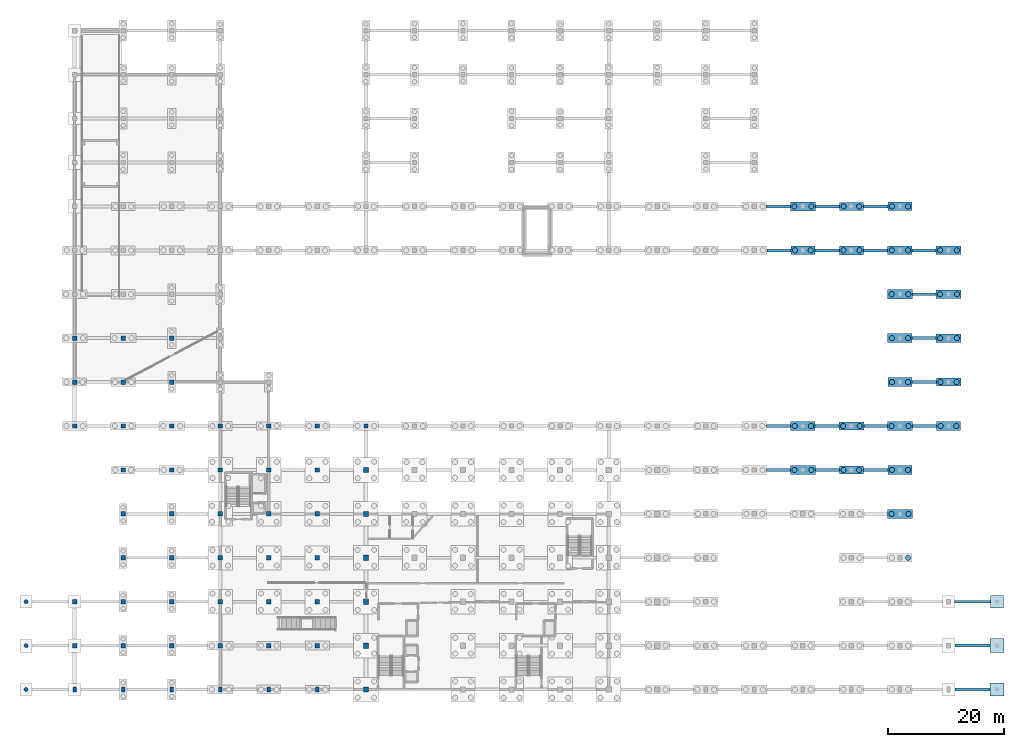
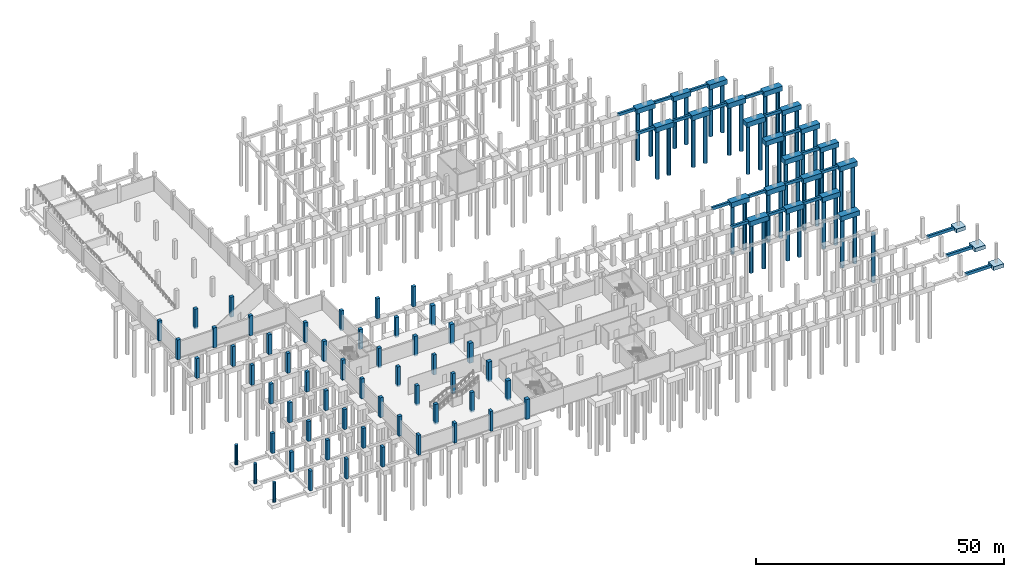
# One storey, part 9 of 22: 55 columns, 44 footings, 43 piles.
"""IFC4 building model written with IfcOpenShell, lengths in metres."""

import ifcopenshell
import ifcopenshell.guid

model = None  # the IFC model being written
_history = None  # IfcOwnerHistory: only IFC2X3 demands one
_inside = {}  # id of a spatial element -> (the spatial element, [elements in it])
_under = {}  # id of a project, library or spatial element -> (it, [spatial elements below it])
_declared = {}  # id of a project -> (the project, [libraries it declares])
_typed = {}  # id of a type object -> (the type object, [elements of that type])
_made_of = {}  # id of a material, layer set ... -> (it, [elements and type objects made of it])


def new_model(schema):
    """Start an empty IFC model of exactly this schema.

    Asked for "IFC4X3", IfcOpenShell would pick the latest addendum, in which some entities
    have other attributes; the version numbers below select the first issue.
    IFC2X3 requires an IfcOwnerHistory on every rooted entity: one is made here for all.
    """
    global model, _history
    if schema == "IFC4X3":
        model = ifcopenshell.file(schema_version=(4, 3, 0, 0))
    else:
        model = ifcopenshell.file(schema=schema)
    _inside.clear()
    _under.clear()
    _declared.clear()
    _typed.clear()
    _made_of.clear()
    _history = None
    if model.schema == "IFC2X3":
        org = make("IfcOrganization", Name="unknown")
        user = make(
            "IfcPersonAndOrganization",
            ThePerson=make("IfcPerson", FamilyName="unknown"),
            TheOrganization=org,
        )
        app = make(
            "IfcApplication",
            ApplicationDeveloper=org,
            Version="unknown",
            ApplicationFullName="unknown",
            ApplicationIdentifier="unknown",
        )
        _history = make(
            "IfcOwnerHistory",
            OwningUser=user,
            OwningApplication=app,
            ChangeAction="ADDED",
            CreationDate=0,
        )
    return model


def make(cls, **values):
    """One entity of the class cls with the attributes given. An attribute that is None is left unset."""
    return model.create_entity(
        cls, **{name: value for name, value in values.items() if value is not None}
    )


def rooted(cls, **values):
    """An entity with a GlobalId (a new one), such as an element, a storey or a relation."""
    return make(cls, GlobalId=ifcopenshell.guid.new(), OwnerHistory=_history, **values)


def si_unit(unit_type, name, prefix=None):
    """IfcSIUnit, for example si_unit("LENGTHUNIT", "METRE", prefix="MILLI")."""
    return make("IfcSIUnit", UnitType=unit_type, Prefix=prefix, Name=name)


def assignment(units):
    """IfcUnitAssignment: the units of a project."""
    return None if units is None else make("IfcUnitAssignment", Units=units)


def point(xyz):
    """IfcCartesianPoint."""
    return None if xyz is None else make("IfcCartesianPoint", Coordinates=xyz)


def direction(xyz):
    """IfcDirection."""
    return None if xyz is None else make("IfcDirection", DirectionRatios=xyz)


def frame(location, z_axis=None, x_axis=None):
    """IfcAxis2Placement3D, a coordinate frame: its origin and axes. An axis left out is left unset."""
    return make(
        "IfcAxis2Placement3D",
        Location=point(location),
        Axis=direction(z_axis),
        RefDirection=direction(x_axis),
    )


def frame_2d(location, x_axis=None):
    """IfcAxis2Placement2D, a coordinate frame in the plane: its origin and x axis."""
    return make(
        "IfcAxis2Placement2D", Location=point(location), RefDirection=direction(x_axis)
    )


def origin():
    """The frame at (0, 0, 0) with its axes left unset."""
    return frame((0.0, 0.0, 0.0))


def origin_2d():
    """The frame at (0, 0) in the plane with its x axis left unset."""
    return frame_2d((0.0, 0.0))


def place(relative_to, where):
    """IfcLocalPlacement: puts the frame where relative to a parent placement (None: the world)."""
    return make(
        "IfcLocalPlacement", PlacementRelTo=relative_to, RelativePlacement=where
    )


def context(
    kind, dimensions, precision=None, world=None, true_north=None, identifier=None
):
    """IfcGeometricRepresentationContext, for example the 3D "Model" context."""
    return make(
        "IfcGeometricRepresentationContext",
        ContextIdentifier=identifier,
        ContextType=kind,
        CoordinateSpaceDimension=dimensions,
        Precision=precision,
        WorldCoordinateSystem=world,
        TrueNorth=true_north,
    )


def subcontext(parent, identifier, kind, view, scale=None):
    """IfcGeometricRepresentationSubContext, for example "Body" below "Model"."""
    return make(
        "IfcGeometricRepresentationSubContext",
        ContextIdentifier=identifier,
        ContextType=kind,
        ParentContext=parent,
        TargetScale=scale,
        TargetView=view,
    )


def project(units=None, contexts=None):
    """IfcProject with its units and contexts."""
    return rooted(
        "IfcProject",
        Name="project",
        RepresentationContexts=contexts,
        UnitsInContext=assignment(units),
    )


def spatial(cls, under=None, at=None, **own):
    """A site, building, storey or space (cls), placed at a placement, below another one or the project."""
    s = rooted(cls, ObjectPlacement=at, **own)
    if under is not None:
        _under.setdefault(under.id(), (under, []))[1].append(s)
    return s


def profile(cls, at=None, kind="AREA", **sizes):
    """A parametric profile (cls). Its sizes go by their IFC names, for example OverallWidth=200.0."""
    return make(cls, ProfileType=kind, Position=at, **sizes)


def rectangle(**sizes):
    """IfcRectangleProfileDef."""
    return profile("IfcRectangleProfileDef", **sizes)


def circle(**sizes):
    """IfcCircleProfileDef."""
    return profile("IfcCircleProfileDef", **sizes)


def extrude(swept, where, along, depth):
    """IfcExtrudedAreaSolid: the profile swept, set in the frame where, extruded along a direction by depth."""
    return make(
        "IfcExtrudedAreaSolid",
        SweptArea=swept,
        Position=where,
        ExtrudedDirection=direction(along),
        Depth=depth,
    )


def shape(context_of_items, identifier, shape_type, items):
    """IfcShapeRepresentation: the items that make up one representation, for example the "Body"."""
    return make(
        "IfcShapeRepresentation",
        ContextOfItems=context_of_items,
        RepresentationIdentifier=identifier,
        RepresentationType=shape_type,
        Items=items,
    )


def material(Name=None, Category=None):
    """IfcMaterial."""
    return make("IfcMaterial", Name=Name, Category=Category)


def material_profile(
    of_material, cross_section, Name=None, Category=None, Priority=None
):
    """IfcMaterialProfile: a cross section and its material."""
    return make(
        "IfcMaterialProfile",
        Name=Name,
        Material=of_material,
        Profile=cross_section,
        Priority=Priority,
        Category=Category,
    )


def profile_set(profiles, Name=None, composite=None):
    """IfcMaterialProfileSet."""
    return make(
        "IfcMaterialProfileSet",
        Name=Name,
        MaterialProfiles=profiles,
        CompositeProfile=composite,
    )


def made_of(thing, what):
    """Note that an element or type object is made of a material, layer set ...; save() writes the relation."""
    if what is not None:
        _made_of.setdefault(what.id(), (what, []))[1].append(thing)
    return thing


def type_object(cls, material=None, **own):
    """A type object (cls), such as IfcWallType, which elements share."""
    return made_of(rooted(cls, **own), material)


def element(
    cls,
    number,
    at=None,
    inside=None,
    cuts=None,
    type_object=None,
    material=None,
    context=None,
    identifier="Body",
    shape_type=None,
    held_by="IfcProductDefinitionShape",
    body=None,
    shapes=None,
    **own,
):
    """One element of the class cls, such as IfcWall. Its Tag is "e" and its number.

    at: its placement. inside: the storey or other place that contains it. cuts: it is an
    opening in that element (IfcRelVoidsElement). A single representation is given by context,
    identifier, shape_type and body (its items); several are given by shapes. held_by: the class
    of the entity that holds the representations. save() writes the other relations.
    """
    e = rooted(cls, Tag="e%d" % number, ObjectPlacement=at, **own)
    if body is not None:
        shapes = [shape(context, identifier, shape_type, body)]
    if shapes is not None:
        e.Representation = make(held_by, Representations=shapes)
    if inside is not None:
        _inside.setdefault(inside.id(), (inside, []))[1].append(e)
    if cuts is not None:
        rooted(
            "IfcRelVoidsElement", RelatingBuildingElement=cuts, RelatedOpeningElement=e
        )
    if type_object is not None:
        _typed.setdefault(type_object.id(), (type_object, []))[1].append(e)
    return made_of(e, material)


def aggregate(whole, parts):
    """IfcRelAggregates: a whole, such as a stair, and the parts it consists of."""
    return rooted("IfcRelAggregates", RelatingObject=whole, RelatedObjects=parts)


def save(model, path):
    """Write the relations noted so far, then the file.

    IfcRelAggregates (storeys below a building ...), IfcRelContainedInSpatialStructure (elements
    in a storey), IfcRelDefinesByType, IfcRelAssociatesMaterial and IfcRelDeclares: one each for
    every whole, place, type object, material and project.
    """
    for whole, parts in _under.values():
        aggregate(whole, parts)
    for where, things in _inside.values():
        rooted(
            "IfcRelContainedInSpatialStructure",
            RelatedElements=things,
            RelatingStructure=where,
        )
    for kind, things in _typed.values():
        rooted("IfcRelDefinesByType", RelatedObjects=things, RelatingType=kind)
    for what, things in _made_of.values():
        rooted("IfcRelAssociatesMaterial", RelatedObjects=things, RelatingMaterial=what)
    for by, libraries in _declared.values():
        rooted("IfcRelDeclares", RelatingContext=by, RelatedDefinitions=libraries)
    model.write(path)


model = new_model("IFC4")

# Units and contexts
model_context = context("Model", 3, precision=1e-05, world=origin(), true_north=direction((0.0, 1.0)))
body_context = subcontext(model_context, "Body", "Model", "MODEL_VIEW")
ifc_project = project(units=[si_unit("LENGTHUNIT", "METRE"), si_unit("AREAUNIT", "SQUARE_METRE"), si_unit("VOLUMEUNIT", "CUBIC_METRE"), si_unit("PLANEANGLEUNIT", "RADIAN"), si_unit("MASSUNIT", "GRAM", prefix="KILO")], contexts=[model_context])

# Site, building, storey
site_placement = place(None, origin())
site = spatial("IfcSite", under=ifc_project, at=site_placement, CompositionType="ELEMENT")
building_placement = place(site_placement, origin())
building = spatial("IfcBuilding", under=site, at=building_placement, Name="Zuvorla Pavilion Media Centre", CompositionType="ELEMENT")
storey_placement = place(building_placement, frame((0.0, 0.0, -4.5)))
storey = spatial("IfcBuildingStorey", under=building, at=storey_placement, Name="B01", CompositionType="ELEMENT", Elevation=-4.5)

# Footings
ifc_material = material(Name="Concrete C40/50", Category="concrete")
footing_type_1 = type_object("IfcFootingType", Name="FT-GB56", PredefinedType="FOOTING_BEAM", material=ifc_material)
for number, where, z_axis, x_axis, name in (
    (1, (171.77490234375, 6.0, -1.10009765625), (0.0, 0.0, 1.0), (1.0, 0.0, 0.0), "Ground beam GB56 18"),
    (2, (171.77490234375, 13.60009765625, -1.10009765625), (0.0, 0.0, 1.0), (1.0, 0.0, 0.0), "Ground beam GB56 36"),
):
    element("IfcFooting", number, at=place(storey_placement, frame(where, z_axis=z_axis, x_axis=x_axis)), inside=storey, type_object=footing_type_1, Name=name, PredefinedType="FOOTING_BEAM", context=body_context, shape_type="SweptSolid", body=[
        extrude(rectangle(XDim=6.050048828125, YDim=0.5, at=origin_2d()), origin(), (0.0, 0.0, 1.0), 0.699951171875),
    ])
footing_1_placement = place(storey_placement, frame((171.77490234375, 21.199951171875, -1.10009765625), z_axis=(0.0, 0.0, 1.0), x_axis=(1.0, 0.0, 0.0)))
element("IfcFooting", 3, at=footing_1_placement, inside=storey, type_object=footing_type_1, Name="Ground beam GB56 51", PredefinedType="FOOTING_BEAM", context=body_context, shape_type="SweptSolid", body=[
    extrude(rectangle(XDim=6.25, YDim=0.5, at=origin_2d()), origin(), (0.0, 0.0, 1.0), 0.699951171875),
])
footing_2_placement = place(storey_placement, frame((138.18505859375, 44.0, -1.10009765625), z_axis=(0.0, 0.0, 1.0), x_axis=(1.0, 0.0, 0.0)))
element("IfcFooting", 4, at=footing_2_placement, inside=storey, type_object=footing_type_1, Name="Ground beam GB56 94", PredefinedType="FOOTING_BEAM", context=body_context, shape_type="SweptSolid", body=[
    extrude(rectangle(XDim=4.070068359375, YDim=0.5, at=origin_2d()), origin(), (0.0, 0.0, 1.0), 0.699951171875),
])
footing_3_placement = place(storey_placement, frame((146.659912109375, 44.0, -1.10009765625), z_axis=(0.0, 0.0, 1.0), x_axis=(1.0, 0.0, 0.0)))
element("IfcFooting", 5, at=footing_3_placement, inside=storey, type_object=footing_type_1, Name="Ground beam GB56 95", PredefinedType="FOOTING_BEAM", context=body_context, shape_type="SweptSolid", body=[
    extrude(rectangle(XDim=4.159912109375, YDim=0.5, at=origin_2d()), origin(), (0.0, 0.0, 1.0), 0.699951171875),
])
footing_4_placement = place(storey_placement, frame((154.985107421875, 44.0, -1.10009765625), z_axis=(0.0, 0.0, 1.0), x_axis=(1.0, 0.0, 0.0)))
element("IfcFooting", 6, at=footing_4_placement, inside=storey, type_object=footing_type_1, Name="Ground beam GB56 96", PredefinedType="FOOTING_BEAM", context=body_context, shape_type="SweptSolid", body=[
    extrude(rectangle(XDim=4.25, YDim=0.5, at=origin_2d()), origin(), (0.0, 0.0, 1.0), 0.699951171875),
])
footing_5_placement = place(storey_placement, frame((138.18505859375, 51.60009765625, -1.10009765625), z_axis=(0.0, 0.0, 1.0), x_axis=(1.0, 0.0, 0.0)))
element("IfcFooting", 7, at=footing_5_placement, inside=storey, type_object=footing_type_1, Name="Ground beam GB56 111", PredefinedType="FOOTING_BEAM", context=body_context, shape_type="SweptSolid", body=[
    extrude(rectangle(XDim=4.18994140625, YDim=0.5, at=origin_2d()), origin(), (0.0, 0.0, 1.0), 0.699951171875),
])
footing_6_placement = place(storey_placement, frame((146.5849609375, 51.60009765625, -1.10009765625), z_axis=(0.0, 0.0, 1.0), x_axis=(1.0, 0.0, 0.0)))
element("IfcFooting", 8, at=footing_6_placement, inside=storey, type_object=footing_type_1, Name="Ground beam GB56 112", PredefinedType="FOOTING_BEAM", context=body_context, shape_type="SweptSolid", body=[
    extrude(rectangle(XDim=4.1298828125, YDim=0.5, at=origin_2d()), origin(), (0.0, 0.0, 1.0), 0.699951171875),
])
footing_7_placement = place(storey_placement, frame((154.985107421875, 51.60009765625, -1.10009765625), z_axis=(0.0, 0.0, 1.0), x_axis=(1.0, 0.0, 0.0)))
element("IfcFooting", 9, at=footing_7_placement, inside=storey, type_object=footing_type_1, Name="Ground beam GB56 113", PredefinedType="FOOTING_BEAM", context=body_context, shape_type="SweptSolid", body=[
    extrude(rectangle(XDim=4.070068359375, YDim=0.5, at=origin_2d()), origin(), (0.0, 0.0, 1.0), 0.699951171875),
])
footing_8_placement = place(storey_placement, frame((163.4599609375, 51.60009765625, -1.10009765625), z_axis=(0.0, 0.0, 1.0), x_axis=(1.0, 0.0, 0.0)))
element("IfcFooting", 10, at=footing_8_placement, inside=storey, type_object=footing_type_1, Name="Ground beam GB56 114", PredefinedType="FOOTING_BEAM", context=body_context, shape_type="SweptSolid", body=[
    extrude(rectangle(XDim=4.159912109375, YDim=0.5, at=origin_2d()), origin(), (0.0, 0.0, 1.0), 0.699951171875),
])
footing_9_placement = place(storey_placement, frame((163.385009765625, 59.199951171875, -1.10009765625), z_axis=(0.0, 0.0, 1.0), x_axis=(1.0, 0.0, 0.0)))
element("IfcFooting", 11, at=footing_9_placement, inside=storey, type_object=footing_type_1, Name="Ground beam GB56 119", PredefinedType="FOOTING_BEAM", context=body_context, shape_type="SweptSolid", body=[
    extrude(rectangle(XDim=4.18994140625, YDim=0.5, at=origin_2d()), origin(), (0.0, 0.0, 1.0), 0.699951171875),
])
footing_10_placement = place(storey_placement, frame((163.385009765625, 66.800048828125, -1.10009765625), z_axis=(0.0, 0.0, 1.0), x_axis=(1.0, 0.0, 0.0)))
element("IfcFooting", 12, at=footing_10_placement, inside=storey, type_object=footing_type_1, Name="Ground beam GB56 123", PredefinedType="FOOTING_BEAM", context=body_context, shape_type="SweptSolid", body=[
    extrude(rectangle(XDim=4.1298828125, YDim=0.5, at=origin_2d()), origin(), (0.0, 0.0, 1.0), 0.699951171875),
])
footing_11_placement = place(storey_placement, frame((163.385009765625, 74.39990234375, -1.10009765625), z_axis=(0.0, 0.0, 1.0), x_axis=(1.0, 0.0, 0.0)))
element("IfcFooting", 13, at=footing_11_placement, inside=storey, type_object=footing_type_1, Name="Ground beam GB56 127", PredefinedType="FOOTING_BEAM", context=body_context, shape_type="SweptSolid", body=[
    extrude(rectangle(XDim=4.070068359375, YDim=0.5, at=origin_2d()), origin(), (0.0, 0.0, 1.0), 0.699951171875),
])
footing_12_placement = place(storey_placement, frame((138.260009765625, 82.0, -1.10009765625), z_axis=(0.0, 0.0, 1.0), x_axis=(1.0, 0.0, 0.0)))
element("IfcFooting", 14, at=footing_12_placement, inside=storey, type_object=footing_type_1, Name="Ground beam GB56 142", PredefinedType="FOOTING_BEAM", context=body_context, shape_type="SweptSolid", body=[
    extrude(rectangle(XDim=4.159912109375, YDim=0.5, at=origin_2d()), origin(), (0.0, 0.0, 1.0), 0.699951171875),
])
footing_13_placement = place(storey_placement, frame((146.5849609375, 82.0, -1.10009765625), z_axis=(0.0, 0.0, 1.0), x_axis=(1.0, 0.0, 0.0)))
element("IfcFooting", 15, at=footing_13_placement, inside=storey, type_object=footing_type_1, Name="Ground beam GB56 143", PredefinedType="FOOTING_BEAM", context=body_context, shape_type="SweptSolid", body=[
    extrude(rectangle(XDim=4.25, YDim=0.5, at=origin_2d()), origin(), (0.0, 0.0, 1.0), 0.699951171875),
])
footing_14_placement = place(storey_placement, frame((154.985107421875, 82.0, -1.10009765625), z_axis=(0.0, 0.0, 1.0), x_axis=(1.0, 0.0, 0.0)))
element("IfcFooting", 16, at=footing_14_placement, inside=storey, type_object=footing_type_1, Name="Ground beam GB56 144", PredefinedType="FOOTING_BEAM", context=body_context, shape_type="SweptSolid", body=[
    extrude(rectangle(XDim=4.18994140625, YDim=0.5, at=origin_2d()), origin(), (0.0, 0.0, 1.0), 0.699951171875),
])
footing_15_placement = place(storey_placement, frame((163.385009765625, 82.0, -1.10009765625), z_axis=(0.0, 0.0, 1.0), x_axis=(1.0, 0.0, 0.0)))
element("IfcFooting", 17, at=footing_15_placement, inside=storey, type_object=footing_type_1, Name="Ground beam GB56 145", PredefinedType="FOOTING_BEAM", context=body_context, shape_type="SweptSolid", body=[
    extrude(rectangle(XDim=4.1298828125, YDim=0.5, at=origin_2d()), origin(), (0.0, 0.0, 1.0), 0.699951171875),
])
footing_16_placement = place(storey_placement, frame((138.18505859375, 89.60009765625, -1.10009765625), z_axis=(0.0, 0.0, 1.0), x_axis=(1.0, 0.0, 0.0)))
element("IfcFooting", 18, at=footing_16_placement, inside=storey, type_object=footing_type_1, Name="Ground beam GB56 160", PredefinedType="FOOTING_BEAM", context=body_context, shape_type="SweptSolid", body=[
    extrude(rectangle(XDim=4.070068359375, YDim=0.5, at=origin_2d()), origin(), (0.0, 0.0, 1.0), 0.699951171875),
])
footing_17_placement = place(storey_placement, frame((146.659912109375, 89.60009765625, -1.10009765625), z_axis=(0.0, 0.0, 1.0), x_axis=(1.0, 0.0, 0.0)))
element("IfcFooting", 19, at=footing_17_placement, inside=storey, type_object=footing_type_1, Name="Ground beam GB56 161", PredefinedType="FOOTING_BEAM", context=body_context, shape_type="SweptSolid", body=[
    extrude(rectangle(XDim=4.159912109375, YDim=0.5, at=origin_2d()), origin(), (0.0, 0.0, 1.0), 0.699951171875),
])
footing_18_placement = place(storey_placement, frame((154.985107421875, 89.60009765625, -1.10009765625), z_axis=(0.0, 0.0, 1.0), x_axis=(1.0, 0.0, 0.0)))
element("IfcFooting", 20, at=footing_18_placement, inside=storey, type_object=footing_type_1, Name="Ground beam GB56 162", PredefinedType="FOOTING_BEAM", context=body_context, shape_type="SweptSolid", body=[
    extrude(rectangle(XDim=4.25, YDim=0.5, at=origin_2d()), origin(), (0.0, 0.0, 1.0), 0.699951171875),
])
footing_type_2 = type_object("IfcFootingType", Name="FT-PC05", PredefinedType="PILE_CAP", material=ifc_material)
footing_19_placement = place(storey_placement, frame((159.199951171875, 51.60009765625, -1.60009765625), z_axis=(0.0, 0.0, 1.0), x_axis=(1.0, 0.0, 0.0)))
element("IfcFooting", 21, at=footing_19_placement, inside=storey, type_object=footing_type_2, Name="Pile cap PC05", PredefinedType="PILE_CAP", context=body_context, shape_type="SweptSolid", body=[
    extrude(rectangle(XDim=4.360107421875, YDim=1.5, at=origin_2d()), origin(), (0.0, 0.0, 1.0), 1.199951171875),
])
footing_type_3 = type_object("IfcFootingType", Name="FT-PC06", PredefinedType="PILE_CAP", material=ifc_material)
footing_20_placement = place(storey_placement, frame((167.60009765625, 51.60009765625, -1.60009765625), z_axis=(0.0, 0.0, 1.0), x_axis=(1.0, 0.0, 0.0)))
element("IfcFooting", 22, at=footing_20_placement, inside=storey, type_object=footing_type_3, Name="Pile cap PC06", PredefinedType="PILE_CAP", context=body_context, shape_type="SweptSolid", body=[
    extrude(rectangle(XDim=4.1201171875, YDim=1.580078125, at=origin_2d()), origin(), (0.0, 0.0, 1.0), 1.199951171875),
])
footing_type_4 = type_object("IfcFootingType", Name="FT-PC13", PredefinedType="PILE_CAP", material=ifc_material)
for number, where, z_axis, x_axis, name in (
    (23, (167.60009765625, 59.199951171875, -1.60009765625), (0.0, 0.0, 1.0), (1.0, 0.0, 0.0), "Pile cap PC13"),
    (24, (159.199951171875, 82.0, -1.60009765625), (0.0, 0.0, 1.0), (1.0, 0.0, 0.0), "Pile cap PC13"),
):
    element("IfcFooting", number, at=place(storey_placement, frame(where, z_axis=z_axis, x_axis=x_axis)), inside=storey, type_object=footing_type_4, Name=name, PredefinedType="PILE_CAP", context=body_context, shape_type="SweptSolid", body=[
        extrude(rectangle(XDim=4.239990234375, YDim=1.419921875, at=origin_2d()), origin(), (0.0, 0.0, 1.0), 1.199951171875),
    ])
footing_type_5 = type_object("IfcFootingType", Name="FT-PC14", PredefinedType="PILE_CAP", material=ifc_material)
footing_21_placement = place(storey_placement, frame((167.60009765625, 82.0, -1.60009765625), z_axis=(0.0, 0.0, 1.0), x_axis=(1.0, 0.0, 0.0)))
element("IfcFooting", 25, at=footing_21_placement, inside=storey, type_object=footing_type_5, Name="Pile cap PC14", PredefinedType="PILE_CAP", context=body_context, shape_type="SweptSolid", body=[
    extrude(rectangle(XDim=4.300048828125, YDim=1.5, at=origin_2d()), origin(), (0.0, 0.0, 1.0), 1.199951171875),
])
footing_type_6 = type_object("IfcFootingType", Name="FT-PC15", PredefinedType="PILE_CAP", material=ifc_material)
for number, where, z_axis, x_axis, name in (
    (26, (159.199951171875, 36.39990234375, -1.60009765625), (0.0, 0.0, 1.0), (1.0, 0.0, 0.0), "Pile cap PC15"),
    (27, (142.39990234375, 44.0, -1.60009765625), (0.0, 0.0, 1.0), (1.0, 0.0, 0.0), "Pile cap PC15"),
    (28, (142.39990234375, 89.60009765625, -1.60009765625), (0.0, 0.0, 1.0), (1.0, 0.0, 0.0), "Pile cap PC15"),
):
    element("IfcFooting", number, at=place(storey_placement, frame(where, z_axis=z_axis, x_axis=x_axis)), inside=storey, type_object=footing_type_6, Name=name, PredefinedType="PILE_CAP", context=body_context, shape_type="SweptSolid", body=[
        extrude(rectangle(XDim=4.360107421875, YDim=1.580078125, at=origin_2d()), origin(), (0.0, 0.0, 1.0), 1.199951171875),
    ])
footing_type_7 = type_object("IfcFootingType", Name="FT-PC16", PredefinedType="PILE_CAP", material=ifc_material)
for number, where, z_axis, x_axis, name in (
    (29, (150.800048828125, 44.0, -1.60009765625), (0.0, 0.0, 1.0), (1.0, 0.0, 0.0), "Pile cap PC16"),
    (30, (150.800048828125, 89.60009765625, -1.60009765625), (0.0, 0.0, 1.0), (1.0, 0.0, 0.0), "Pile cap PC16"),
):
    element("IfcFooting", number, at=place(storey_placement, frame(where, z_axis=z_axis, x_axis=x_axis)), inside=storey, type_object=footing_type_7, Name=name, PredefinedType="PILE_CAP", context=body_context, shape_type="SweptSolid", body=[
        extrude(rectangle(XDim=4.1201171875, YDim=1.419921875, at=origin_2d()), origin(), (0.0, 0.0, 1.0), 1.199951171875),
    ])
footing_type_8 = type_object("IfcFootingType", Name="FT-PC17", PredefinedType="PILE_CAP", material=ifc_material)
for number, where, z_axis, x_axis, name in (
    (31, (159.199951171875, 44.0, -1.60009765625), (0.0, 0.0, 1.0), (1.0, 0.0, 0.0), "Pile cap PC17"),
    (32, (159.199951171875, 89.60009765625, -1.60009765625), (0.0, 0.0, 1.0), (1.0, 0.0, 0.0), "Pile cap PC17"),
):
    element("IfcFooting", number, at=place(storey_placement, frame(where, z_axis=z_axis, x_axis=x_axis)), inside=storey, type_object=footing_type_8, Name=name, PredefinedType="PILE_CAP", context=body_context, shape_type="SweptSolid", body=[
        extrude(rectangle(XDim=4.179931640625, YDim=1.5, at=origin_2d()), origin(), (0.0, 0.0, 1.0), 1.199951171875),
    ])
footing_type_9 = type_object("IfcFootingType", Name="FT-PC18", PredefinedType="PILE_CAP", material=ifc_material)
for number, where, z_axis, x_axis, name in (
    (33, (142.39990234375, 51.60009765625, -1.60009765625), (0.0, 0.0, 1.0), (1.0, 0.0, 0.0), "Pile cap PC18"),
    (34, (159.199951171875, 66.800048828125, -1.60009765625), (0.0, 0.0, 1.0), (1.0, 0.0, 0.0), "Pile cap PC18"),
):
    element("IfcFooting", number, at=place(storey_placement, frame(where, z_axis=z_axis, x_axis=x_axis)), inside=storey, type_object=footing_type_9, Name=name, PredefinedType="PILE_CAP", context=body_context, shape_type="SweptSolid", body=[
        extrude(rectangle(XDim=4.239990234375, YDim=1.580078125, at=origin_2d()), origin(), (0.0, 0.0, 1.0), 1.199951171875),
    ])
footing_type_10 = type_object("IfcFootingType", Name="FT-PC23", PredefinedType="PILE_CAP", material=ifc_material)
footing_22_placement = place(storey_placement, frame((167.60009765625, 74.39990234375, -1.60009765625), z_axis=(0.0, 0.0, 1.0), x_axis=(1.0, 0.0, 0.0)))
element("IfcFooting", 35, at=footing_22_placement, inside=storey, type_object=footing_type_10, Name="Pile cap PC23", PredefinedType="PILE_CAP", context=body_context, shape_type="SweptSolid", body=[
    extrude(rectangle(XDim=4.360107421875, YDim=1.419921875, at=origin_2d()), origin(), (0.0, 0.0, 1.0), 1.199951171875),
])
footing_type_11 = type_object("IfcFootingType", Name="FT-PC24", PredefinedType="PILE_CAP", material=ifc_material)
footing_23_placement = place(storey_placement, frame((142.39990234375, 82.0, -1.60009765625), z_axis=(0.0, 0.0, 1.0), x_axis=(1.0, 0.0, 0.0)))
element("IfcFooting", 36, at=footing_23_placement, inside=storey, type_object=footing_type_11, Name="Pile cap PC24", PredefinedType="PILE_CAP", context=body_context, shape_type="SweptSolid", body=[
    extrude(rectangle(XDim=4.1201171875, YDim=1.5, at=origin_2d()), origin(), (0.0, 0.0, 1.0), 1.199951171875),
])
footing_type_12 = type_object("IfcFootingType", Name="FT-PC25", PredefinedType="PILE_CAP", material=ifc_material)
for number, where, z_axis, x_axis, name in (
    (37, (159.199951171875, 59.199951171875, -1.60009765625), (0.0, 0.0, 1.0), (1.0, 0.0, 0.0), "Pile cap PC25"),
    (38, (150.800048828125, 82.0, -1.60009765625), (0.0, 0.0, 1.0), (1.0, 0.0, 0.0), "Pile cap PC25"),
):
    element("IfcFooting", number, at=place(storey_placement, frame(where, z_axis=z_axis, x_axis=x_axis)), inside=storey, type_object=footing_type_12, Name=name, PredefinedType="PILE_CAP", context=body_context, shape_type="SweptSolid", body=[
        extrude(rectangle(XDim=4.179931640625, YDim=1.580078125, at=origin_2d()), origin(), (0.0, 0.0, 1.0), 1.199951171875),
    ])
footing_type_13 = type_object("IfcFootingType", Name="FT-PC30", PredefinedType="PILE_CAP", material=ifc_material)
for number, where, z_axis, x_axis, name in (
    (39, (150.800048828125, 51.60009765625, -1.60009765625), (0.0, 0.0, 1.0), (1.0, 0.0, 0.0), "Pile cap PC30"),
    (40, (167.60009765625, 66.800048828125, -1.60009765625), (0.0, 0.0, 1.0), (1.0, 0.0, 0.0), "Pile cap PC30"),
):
    element("IfcFooting", number, at=place(storey_placement, frame(where, z_axis=z_axis, x_axis=x_axis)), inside=storey, type_object=footing_type_13, Name=name, PredefinedType="PILE_CAP", context=body_context, shape_type="SweptSolid", body=[
        extrude(rectangle(XDim=4.300048828125, YDim=1.419921875, at=origin_2d()), origin(), (0.0, 0.0, 1.0), 1.199951171875),
    ])
footing_type_14 = type_object("IfcFootingType", Name="FT-PC37", PredefinedType="PILE_CAP", material=ifc_material)
footing_24_placement = place(storey_placement, frame((159.199951171875, 74.39990234375, -1.60009765625), z_axis=(0.0, 0.0, 1.0), x_axis=(1.0, 0.0, 0.0)))
element("IfcFooting", 41, at=footing_24_placement, inside=storey, type_object=footing_type_14, Name="Pile cap PC37", PredefinedType="PILE_CAP", context=body_context, shape_type="SweptSolid", body=[
    extrude(rectangle(XDim=4.300048828125, YDim=1.580078125, at=origin_2d()), origin(), (0.0, 0.0, 1.0), 1.199951171875),
])
footing_type_15 = type_object("IfcFootingType", Name="FT-PF02", PredefinedType="PAD_FOOTING", material=ifc_material)
footing_25_placement = place(storey_placement, frame((176.0, 21.199951171875, -1.300048828125), z_axis=(0.0, 0.0, 1.0), x_axis=(1.0, 0.0, 0.0)))
element("IfcFooting", 42, at=footing_25_placement, inside=storey, type_object=footing_type_15, Name="Pad footing PF02", PredefinedType="PAD_FOOTING", context=body_context, shape_type="SweptSolid", body=[
    extrude(rectangle(XDim=2.199951171875, YDim=2.10009765625, at=origin_2d()), origin(), (0.0, 0.0, 1.0), 0.89990234375),
])
footing_type_16 = type_object("IfcFootingType", Name="FT-PF20", PredefinedType="PAD_FOOTING", material=ifc_material)
footing_26_placement = place(storey_placement, frame((176.0, 6.0, -1.300048828125), z_axis=(0.0, 0.0, 1.0), x_axis=(1.0, 0.0, 0.0)))
element("IfcFooting", 43, at=footing_26_placement, inside=storey, type_object=footing_type_16, Name="Pad footing PF20", PredefinedType="PAD_FOOTING", context=body_context, shape_type="SweptSolid", body=[
    extrude(rectangle(XDim=2.39990234375, YDim=2.199951171875, at=origin_2d()), origin(), (0.0, 0.0, 1.0), 0.89990234375),
])
footing_type_17 = type_object("IfcFootingType", Name="FT-PF33", PredefinedType="PAD_FOOTING", material=ifc_material)
footing_27_placement = place(storey_placement, frame((176.0, 13.60009765625, -1.300048828125), z_axis=(0.0, 0.0, 1.0), x_axis=(1.0, 0.0, 0.0)))
element("IfcFooting", 44, at=footing_27_placement, inside=storey, type_object=footing_type_17, Name="Pad footing PF33", PredefinedType="PAD_FOOTING", context=body_context, shape_type="SweptSolid", body=[
    extrude(rectangle(XDim=2.39990234375, YDim=2.39990234375, at=origin_2d()), origin(), (0.0, 0.0, 1.0), 0.89990234375),
])

# Piles
ifc_material_profile_1 = material_profile(ifc_material, circle(Radius=0.449951171875, at=origin_2d()), Name="BORED PILE 900")
ifc_profile_set_1 = profile_set([ifc_material_profile_1], Name="Concrete C40/50")
pile_type = type_object("IfcPileType", Name="PIL-D900", PredefinedType="BORED", material=ifc_profile_set_1)
for number, where, z_axis, x_axis, name in (
    (45, (160.610107421875, 28.800048828125, -1.5), (0.0, 0.0, -1.0), (1.0, 0.0, 0.0), "Bored pile P90 176"),
    (46, (157.72998046875, 36.39990234375, -1.5), (0.0, 0.0, -1.0), (1.0, 0.0, 0.0), "Bored pile P90 227"),
    (47, (160.669921875, 36.39990234375, -1.5), (0.0, 0.0, -1.0), (1.0, 0.0, 0.0), "Bored pile P90 228"),
    (48, (140.929931640625, 44.0, -1.5), (0.0, 0.0, -1.0), (1.0, 0.0, 0.0), "Bored pile P90 275"),
    (49, (143.8701171875, 44.0, -1.5), (0.0, 0.0, -1.0), (1.0, 0.0, 0.0), "Bored pile P90 276"),
    (50, (149.449951171875, 44.0, -1.5), (0.0, 0.0, -1.0), (1.0, 0.0, 0.0), "Bored pile P90 277"),
    (51, (152.14990234375, 44.0, -1.5), (0.0, 0.0, -1.0), (1.0, 0.0, 0.0), "Bored pile P90 278"),
    (52, (157.820068359375, 44.0, -1.5), (0.0, 0.0, -1.0), (1.0, 0.0, 0.0), "Bored pile P90 279"),
    (53, (160.580078125, 44.0, -1.5), (0.0, 0.0, -1.0), (1.0, 0.0, 0.0), "Bored pile P90 280"),
    (54, (140.989990234375, 51.60009765625, -1.5), (0.0, 0.0, -1.0), (1.0, 0.0, 0.0), "Bored pile P90 311"),
    (55, (143.81005859375, 51.60009765625, -1.5), (0.0, 0.0, -1.0), (1.0, 0.0, 0.0), "Bored pile P90 312"),
    (56, (149.360107421875, 51.60009765625, -1.5), (0.0, 0.0, -1.0), (1.0, 0.0, 0.0), "Bored pile P90 313"),
    (57, (152.239990234375, 51.60009765625, -1.5), (0.0, 0.0, -1.0), (1.0, 0.0, 0.0), "Bored pile P90 314"),
    (58, (157.72998046875, 51.60009765625, -1.5), (0.0, 0.0, -1.0), (1.0, 0.0, 0.0), "Bored pile P90 315"),
    (59, (160.669921875, 51.60009765625, -1.5), (0.0, 0.0, -1.0), (1.0, 0.0, 0.0), "Bored pile P90 316"),
    (60, (166.25, 51.60009765625, -1.5), (0.0, 0.0, -1.0), (1.0, 0.0, 0.0), "Bored pile P90 317"),
    (61, (168.949951171875, 51.60009765625, -1.5), (0.0, 0.0, -1.0), (1.0, 0.0, 0.0), "Bored pile P90 318"),
    (62, (157.820068359375, 59.199951171875, -1.5), (0.0, 0.0, -1.0), (1.0, 0.0, 0.0), "Bored pile P90 329"),
    (63, (160.580078125, 59.199951171875, -1.5), (0.0, 0.0, -1.0), (1.0, 0.0, 0.0), "Bored pile P90 330"),
    (64, (166.18994140625, 59.199951171875, -1.5), (0.0, 0.0, -1.0), (1.0, 0.0, 0.0), "Bored pile P90 331"),
    (65, (169.010009765625, 59.199951171875, -1.5), (0.0, 0.0, -1.0), (1.0, 0.0, 0.0), "Bored pile P90 332"),
    (66, (157.7900390625, 66.800048828125, -1.5), (0.0, 0.0, -1.0), (1.0, 0.0, 0.0), "Bored pile P90 341"),
    (67, (160.610107421875, 66.800048828125, -1.5), (0.0, 0.0, -1.0), (1.0, 0.0, 0.0), "Bored pile P90 342"),
    (68, (166.159912109375, 66.800048828125, -1.5), (0.0, 0.0, -1.0), (1.0, 0.0, 0.0), "Bored pile P90 343"),
    (69, (169.0400390625, 66.800048828125, -1.5), (0.0, 0.0, -1.0), (1.0, 0.0, 0.0), "Bored pile P90 344"),
    (70, (157.760009765625, 74.39990234375, -1.5), (0.0, 0.0, -1.0), (1.0, 0.0, 0.0), "Bored pile P90 353"),
    (71, (160.639892578125, 74.39990234375, -1.5), (0.0, 0.0, -1.0), (1.0, 0.0, 0.0), "Bored pile P90 354"),
    (72, (166.1298828125, 74.39990234375, -1.5), (0.0, 0.0, -1.0), (1.0, 0.0, 0.0), "Bored pile P90 355"),
    (73, (169.070068359375, 74.39990234375, -1.5), (0.0, 0.0, -1.0), (1.0, 0.0, 0.0), "Bored pile P90 356"),
    (74, (141.050048828125, 82.0, -1.5), (0.0, 0.0, -1.0), (1.0, 0.0, 0.0), "Bored pile P90 387"),
    (75, (143.75, 82.0, -1.5), (0.0, 0.0, -1.0), (1.0, 0.0, 0.0), "Bored pile P90 388"),
    (76, (149.419921875, 82.0, -1.5), (0.0, 0.0, -1.0), (1.0, 0.0, 0.0), "Bored pile P90 389"),
    (77, (152.179931640625, 82.0, -1.5), (0.0, 0.0, -1.0), (1.0, 0.0, 0.0), "Bored pile P90 390"),
    (78, (157.7900390625, 82.0, -1.5), (0.0, 0.0, -1.0), (1.0, 0.0, 0.0), "Bored pile P90 391"),
    (79, (160.610107421875, 82.0, -1.5), (0.0, 0.0, -1.0), (1.0, 0.0, 0.0), "Bored pile P90 392"),
    (80, (166.159912109375, 82.0, -1.5), (0.0, 0.0, -1.0), (1.0, 0.0, 0.0), "Bored pile P90 393"),
    (81, (169.0400390625, 82.0, -1.5), (0.0, 0.0, -1.0), (1.0, 0.0, 0.0), "Bored pile P90 394"),
    (82, (140.929931640625, 89.60009765625, -1.5), (0.0, 0.0, -1.0), (1.0, 0.0, 0.0), "Bored pile P90 423"),
    (83, (143.8701171875, 89.60009765625, -1.5), (0.0, 0.0, -1.0), (1.0, 0.0, 0.0), "Bored pile P90 424"),
    (84, (149.449951171875, 89.60009765625, -1.5), (0.0, 0.0, -1.0), (1.0, 0.0, 0.0), "Bored pile P90 425"),
    (85, (152.14990234375, 89.60009765625, -1.5), (0.0, 0.0, -1.0), (1.0, 0.0, 0.0), "Bored pile P90 426"),
    (86, (157.820068359375, 89.60009765625, -1.5), (0.0, 0.0, -1.0), (1.0, 0.0, 0.0), "Bored pile P90 427"),
    (87, (160.580078125, 89.60009765625, -1.5), (0.0, 0.0, -1.0), (1.0, 0.0, 0.0), "Bored pile P90 428"),
):
    element("IfcPile", number, at=place(storey_placement, frame(where, z_axis=z_axis, x_axis=x_axis)), inside=storey, type_object=pile_type, Name=name, PredefinedType="BORED", context=body_context, shape_type="SweptSolid", body=[
        extrude(circle(Radius=0.449951171875, at=origin_2d()), origin(), (0.0, 0.0, 1.0), 12.0),
    ])

# Columns
ifc_material_profile_2 = material_profile(ifc_material, rectangle(XDim=0.60009765625, YDim=0.89990234375, at=origin_2d()), Name="RC 600x900")
ifc_profile_set_2 = profile_set([ifc_material_profile_2], Name="Concrete C40/50")
column_type_1 = type_object("IfcColumnType", Name="COL-PIL600", PredefinedType="PILASTER", material=ifc_profile_set_2)
for number, where, z_axis, x_axis, name in (
    (88, (16.39990234375, 6.0, -0.39990234375), (0.0, 0.0, 1.0), (1.0, 0.0, 0.0), "B01 column C07 3"),
    (89, (24.800048828125, 6.0, -0.39990234375), (0.0, 0.0, 1.0), (1.0, 0.0, 0.0), "B01 column C07 5"),
    (90, (33.199951171875, 6.0, -0.39990234375), (0.0, 0.0, 1.0), (1.0, 0.0, 0.0), "B01 column C07 7"),
    (91, (41.60009765625, 6.0, -0.39990234375), (0.0, 0.0, 1.0), (1.0, 0.0, 0.0), "B01 column C07 10"),
    (92, (50.0, 6.0, -0.39990234375), (0.0, 0.0, 1.0), (1.0, 0.0, 0.0), "B01 column C07 15"),
    (93, (58.39990234375, 6.0, -0.39990234375), (0.0, 0.0, 1.0), (1.0, 0.0, 0.0), "B01 column C07 20"),
):
    element("IfcColumn", number, at=place(storey_placement, frame(where, z_axis=z_axis, x_axis=x_axis)), inside=storey, type_object=column_type_1, Name=name, PredefinedType="PILASTER", context=body_context, shape_type="SweptSolid", body=[
        extrude(rectangle(XDim=0.60009765625, YDim=0.89990234375, at=origin_2d()), origin(), (0.0, 0.0, 1.0), 4.89990234375),
    ])
ifc_material_profile_3 = material_profile(ifc_material, rectangle(XDim=0.75, YDim=0.75, at=origin_2d()), Name="RC 750x750")
ifc_profile_set_3 = profile_set([ifc_material_profile_3], Name="Concrete C40/50")
column_type_2 = type_object("IfcColumnType", Name="COL-RC750", PredefinedType="COLUMN", material=ifc_profile_set_3)
for number, where, z_axis, x_axis, name in (
    (94, (16.39990234375, 13.60009765625, -0.39990234375), (0.0, 0.0, 1.0), (1.0, 0.0, 0.0), "B01 column C02 101"),
    (95, (24.800048828125, 13.60009765625, -0.39990234375), (0.0, 0.0, 1.0), (1.0, 0.0, 0.0), "B01 column C02 103"),
    (96, (33.199951171875, 13.60009765625, -0.39990234375), (0.0, 0.0, 1.0), (1.0, 0.0, 0.0), "B01 column C02 105"),
    (97, (41.60009765625, 13.60009765625, -0.39990234375), (0.0, 0.0, 1.0), (1.0, 0.0, 0.0), "B01 column C02 108"),
    (98, (50.0, 13.60009765625, -0.39990234375), (0.0, 0.0, 1.0), (1.0, 0.0, 0.0), "B01 column C02 113"),
    (99, (58.39990234375, 13.60009765625, -0.39990234375), (0.0, 0.0, 1.0), (1.0, 0.0, 0.0), "B01 column C02 118"),
    (100, (16.39990234375, 21.199951171875, -0.39990234375), (0.0, 0.0, 1.0), (1.0, 0.0, 0.0), "B01 column C02 199"),
    (101, (24.800048828125, 21.199951171875, -0.39990234375), (0.0, 0.0, 1.0), (1.0, 0.0, 0.0), "B01 column C02 201"),
    (102, (33.199951171875, 21.199951171875, -0.39990234375), (0.0, 0.0, 1.0), (1.0, 0.0, 0.0), "B01 column C02 203"),
    (103, (41.60009765625, 21.199951171875, -0.39990234375), (0.0, 0.0, 1.0), (1.0, 0.0, 0.0), "B01 column C02 206"),
    (104, (50.0, 21.199951171875, -0.39990234375), (0.0, 0.0, 1.0), (1.0, 0.0, 0.0), "B01 column C02 212"),
    (105, (58.39990234375, 21.199951171875, -0.39990234375), (0.0, 0.0, 1.0), (1.0, 0.0, 0.0), "B01 column C02 218"),
    (106, (24.800048828125, 28.800048828125, -0.39990234375), (0.0, 0.0, 1.0), (1.0, 0.0, 0.0), "B01 column C02 288"),
    (107, (33.199951171875, 28.800048828125, -0.39990234375), (0.0, 0.0, 1.0), (1.0, 0.0, 0.0), "B01 column C02 290"),
    (108, (41.60009765625, 28.800048828125, -0.39990234375), (0.0, 0.0, 1.0), (1.0, 0.0, 0.0), "B01 column C02 293"),
    (109, (50.0, 28.800048828125, -0.39990234375), (0.0, 0.0, 1.0), (1.0, 0.0, 0.0), "B01 column C02 299"),
    (110, (58.39990234375, 28.800048828125, -0.39990234375), (0.0, 0.0, 1.0), (1.0, 0.0, 0.0), "B01 column C02 305"),
    (111, (24.800048828125, 36.39990234375, -0.39990234375), (0.0, 0.0, 1.0), (1.0, 0.0, 0.0), "B01 column C02 379"),
    (112, (33.199951171875, 36.39990234375, -0.39990234375), (0.0, 0.0, 1.0), (1.0, 0.0, 0.0), "B01 column C02 381"),
    (113, (41.60009765625, 36.39990234375, -0.39990234375), (0.0, 0.0, 1.0), (1.0, 0.0, 0.0), "B01 column C02 383"),
    (114, (50.0, 36.39990234375, -0.39990234375), (0.0, 0.0, 1.0), (1.0, 0.0, 0.0), "B01 column C02 389"),
    (115, (58.39990234375, 36.39990234375, -0.39990234375), (0.0, 0.0, 1.0), (1.0, 0.0, 0.0), "B01 column C02 395"),
    (116, (24.800048828125, 44.0, -0.39990234375), (0.0, 0.0, 1.0), (1.0, 0.0, 0.0), "B01 column C02 479"),
    (117, (33.199951171875, 44.0, -0.39990234375), (0.0, 0.0, 1.0), (1.0, 0.0, 0.0), "B01 column C02 484"),
    (118, (41.60009765625, 44.0, -0.39990234375), (0.0, 0.0, 1.0), (1.0, 0.0, 0.0), "B01 column C02 489"),
    (119, (50.0, 44.0, -0.39990234375), (0.0, 0.0, 1.0), (1.0, 0.0, 0.0), "B01 column C02 495"),
    (120, (58.39990234375, 44.0, -0.39990234375), (0.0, 0.0, 1.0), (1.0, 0.0, 0.0), "B01 column C02 501"),
    (121, (16.39990234375, 51.60009765625, -0.39990234375), (0.0, 0.0, 1.0), (1.0, 0.0, 0.0), "B01 column C02 573"),
    (122, (24.800048828125, 51.60009765625, -0.39990234375), (0.0, 0.0, 1.0), (1.0, 0.0, 0.0), "B01 column C02 578"),
    (123, (33.199951171875, 51.60009765625, -0.39990234375), (0.0, 0.0, 1.0), (1.0, 0.0, 0.0), "B01 column C02 583"),
    (124, (41.60009765625, 51.60009765625, -0.39990234375), (0.0, 0.0, 1.0), (1.0, 0.0, 0.0), "B01 column C02 588"),
    (125, (50.0, 51.60009765625, -0.39990234375), (0.0, 0.0, 1.0), (1.0, 0.0, 0.0), "B01 column C02 593"),
    (126, (58.39990234375, 51.60009765625, -0.39990234375), (0.0, 0.0, 1.0), (1.0, 0.0, 0.0), "B01 column C02 598"),
    (127, (66.800048828125, 51.60009765625, -0.39990234375), (0.0, 0.0, 1.0), (1.0, 0.0, 0.0), "B01 column C02 603"),
    (128, (16.39990234375, 59.199951171875, -0.39990234375), (0.0, 0.0, 1.0), (1.0, 0.0, 0.0), "B01 column C02 668"),
    (129, (24.800048828125, 59.199951171875, -0.39990234375), (0.0, 0.0, 1.0), (1.0, 0.0, 0.0), "B01 column C02 673"),
    (130, (33.199951171875, 59.199951171875, -0.39990234375), (0.0, 0.0, 1.0), (1.0, 0.0, 0.0), "B01 column C02 678"),
    (131, (16.39990234375, 66.800048828125, -0.39990234375), (0.0, 0.0, 1.0), (1.0, 0.0, 0.0), "B01 column C02 694"),
    (132, (24.800048828125, 66.800048828125, -0.39990234375), (0.0, 0.0, 1.0), (1.0, 0.0, 0.0), "B01 column C02 699"),
    (133, (33.199951171875, 66.800048828125, -0.39990234375), (0.0, 0.0, 1.0), (1.0, 0.0, 0.0), "B01 column C02 704"),
):
    element("IfcColumn", number, at=place(storey_placement, frame(where, z_axis=z_axis, x_axis=x_axis)), inside=storey, type_object=column_type_2, Name=name, PredefinedType="COLUMN", context=body_context, shape_type="SweptSolid", body=[
        extrude(rectangle(XDim=0.75, YDim=0.75, at=origin_2d()), origin(), (0.0, 0.0, 1.0), 4.89990234375),
    ])
ifc_material_profile_4 = material_profile(ifc_material, rectangle(XDim=0.89990234375, YDim=0.89990234375, at=origin_2d()), Name="RC 900x900")
ifc_profile_set_4 = profile_set([ifc_material_profile_4], Name="Concrete C40/50")
column_type_3 = type_object("IfcColumnType", Name="COL-RC900", PredefinedType="COLUMN", material=ifc_profile_set_4)
for number, where, z_axis, x_axis, name in (
    (134, (66.800048828125, 6.0, -0.39990234375), (0.0, 0.0, 1.0), (1.0, 0.0, 0.0), "B01 column C01 25"),
    (135, (66.800048828125, 13.60009765625, -0.39990234375), (0.0, 0.0, 1.0), (1.0, 0.0, 0.0), "B01 column C01 123"),
    (136, (66.800048828125, 21.199951171875, -0.39990234375), (0.0, 0.0, 1.0), (1.0, 0.0, 0.0), "B01 column C01 224"),
    (137, (66.800048828125, 28.800048828125, -0.39990234375), (0.0, 0.0, 1.0), (1.0, 0.0, 0.0), "B01 column C01 311"),
    (138, (66.800048828125, 36.39990234375, -0.39990234375), (0.0, 0.0, 1.0), (1.0, 0.0, 0.0), "B01 column C01 401"),
    (139, (66.800048828125, 44.0, -0.39990234375), (0.0, 0.0, 1.0), (1.0, 0.0, 0.0), "B01 column C01 507"),
):
    element("IfcColumn", number, at=place(storey_placement, frame(where, z_axis=z_axis, x_axis=x_axis)), inside=storey, type_object=column_type_3, Name=name, PredefinedType="COLUMN", context=body_context, shape_type="SweptSolid", body=[
        extrude(rectangle(XDim=0.89990234375, YDim=0.89990234375, at=origin_2d()), origin(), (0.0, 0.0, 1.0), 4.89990234375),
    ])
ifc_material_profile_5 = material_profile(ifc_material, circle(Radius=0.35009765625, at=origin_2d()), Name="RC D700")
ifc_profile_set_5 = profile_set([ifc_material_profile_5], Name="Concrete C40/50")
column_type_4 = type_object("IfcColumnType", Name="COL-RCD700", PredefinedType="COLUMN", material=ifc_profile_set_5)
for number, where, z_axis, x_axis, name in (
    (140, (8.0, 6.0, -0.39990234375), (0.0, 0.0, 1.0), (1.0, 0.0, 0.0), "B01 column C06 1"),
    (141, (8.0, 13.60009765625, -0.39990234375), (0.0, 0.0, 1.0), (1.0, 0.0, 0.0), "B01 column C06 99"),
    (142, (8.0, 21.199951171875, -0.39990234375), (0.0, 0.0, 1.0), (1.0, 0.0, 0.0), "B01 column C06 197"),
):
    element("IfcColumn", number, at=place(storey_placement, frame(where, z_axis=z_axis, x_axis=x_axis)), inside=storey, type_object=column_type_4, Name=name, PredefinedType="COLUMN", context=body_context, shape_type="SweptSolid", body=[
        extrude(circle(Radius=0.35009765625, at=origin_2d()), origin(), (0.0, 0.0, 1.0), 4.89990234375),
    ])

save(model, "model.ifc")
